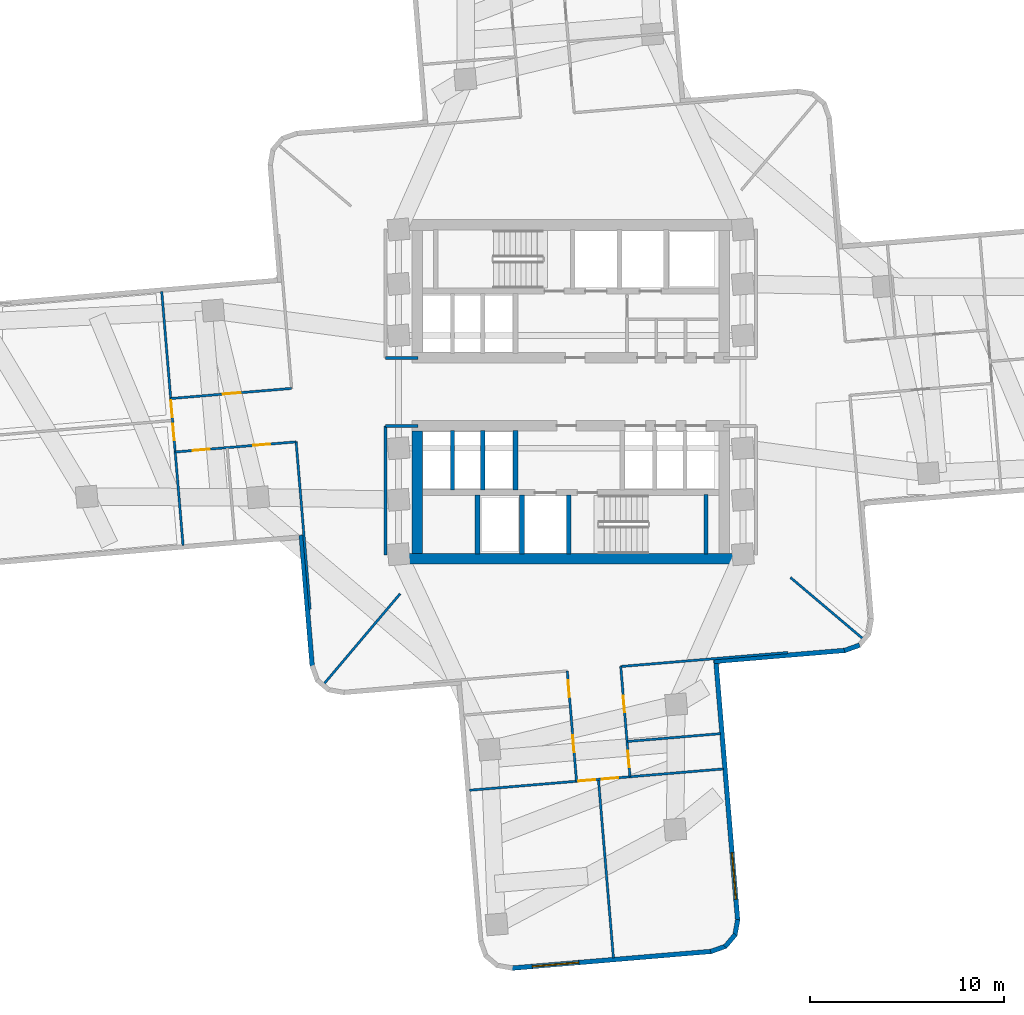
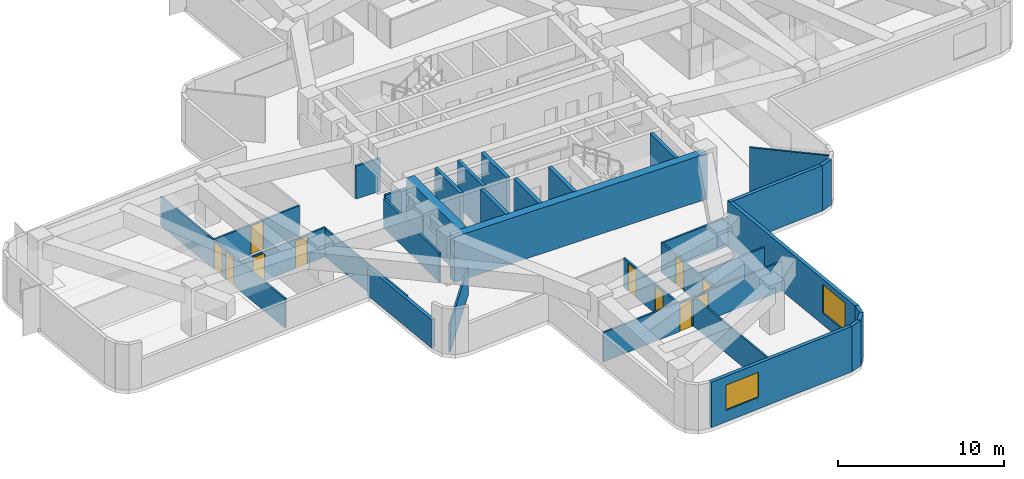
# One storey, part 3 of 11: 32 walls, 11 doors, 2 windows, 13 openings.
"""IFC4 building model written with IfcOpenShell, lengths in metres."""

from ifc_helpers import new_model, si_unit, direction, frame, frame_2d, origin, place, context, subcontext, project, spatial, rectangle, extrude, material, layer, layer_set, type_object, element, fill, save


model = new_model("IFC4")

# Units and contexts
model_context = context("Model", 3, precision=1e-05, world=origin(), true_north=direction((0.0, 1.0)))
body_context = subcontext(model_context, "Body", "Model", "MODEL_VIEW")
ifc_project = project(units=[si_unit("LENGTHUNIT", "METRE"), si_unit("AREAUNIT", "SQUARE_METRE"), si_unit("VOLUMEUNIT", "CUBIC_METRE"), si_unit("PLANEANGLEUNIT", "RADIAN"), si_unit("MASSUNIT", "GRAM", prefix="KILO")], contexts=[model_context])

# Site, building, storey
site_placement = place(None, origin())
site = spatial("IfcSite", under=ifc_project, at=site_placement, CompositionType="ELEMENT")
building_placement = place(site_placement, origin())
building = spatial("IfcBuilding", under=site, at=building_placement, Name="Solmarez Civic Tower", CompositionType="ELEMENT")
storey_placement = place(building_placement, frame((0.0, 0.0, 64.080078125)))
storey = spatial("IfcBuildingStorey", under=building, at=storey_placement, Name="L16", CompositionType="ELEMENT", Elevation=64.080078125)

# Walls
ifc_material_1 = material(Name="Concrete C60/75", Category="concrete")
ifc_layer_1 = layer(ifc_material_1, 0.550048828125)
ifc_layer_set_1 = layer_set([ifc_layer_1], Name="Concrete C60/75")
wall_type_1 = type_object("IfcWallType", Name="WALL-CORE-550", PredefinedType="SHEAR", material=ifc_layer_set_1)
wall_1_placement = place(storey_placement, frame((8.780029296875, -8.5849609375, 0.0), z_axis=(0.0, 0.0, 1.0), x_axis=(-1.0, 0.0, 0.0)))
element("IfcWall", 1, at=wall_1_placement, inside=storey, type_object=wall_type_1, Name="L16 Split-Core Structural Wall SCW-S-L16", PredefinedType="SHEAR", context=body_context, shape_type="SweptSolid", body=[
    extrude(rectangle(XDim=17.56005859375, YDim=0.550048828125, at=frame_2d((8.780029296875, 0.0))), origin(), (0.0, 0.0, 1.0), 3.33984375),
])
wall_2_placement = place(storey_placement, frame((-7.89501953125, -8.31005859375, 0.0), z_axis=(0.0, 0.0, 1.0), x_axis=(0.0, 1.0, 0.0)))
element("IfcWall", 2, at=wall_2_placement, inside=storey, type_object=wall_type_1, Name="L16 Split-Core Structural Wall SCW-W-L16", PredefinedType="SHEAR", context=body_context, shape_type="SweptSolid", body=[
    extrude(rectangle(XDim=6.28515625, YDim=0.550048828125, at=frame_2d((3.142578125, 0.0))), origin(), (0.0, 0.0, 1.0), 3.33984375),
])
ifc_material_2 = material(Name="Precast concrete C40/50", Category="concrete")
ifc_layer_2 = layer(ifc_material_2, 0.239990234375)
ifc_layer_set_2 = layer_set([ifc_layer_2], Name="Precast concrete C40/50")
wall_type_2 = type_object("IfcWallType", Name="WALL-EXT-240", PredefinedType="SOLIDWALL", material=ifc_layer_set_2)
wall_3_placement = place(storey_placement, frame((14.85400390625, -13.02490234375, 0.0), z_axis=(0.0, 0.0, 1.0), x_axis=(-0.941455621898, -0.337136933599, 0.0)))
element("IfcWall", 3, at=wall_3_placement, inside=storey, type_object=wall_type_2, Name="L16 Exterior Precast Wall 52", PredefinedType="SOLIDWALL", context=body_context, shape_type="SweptSolid", body=[
    extrude(rectangle(XDim=0.83056640625, YDim=0.239990234375, at=frame_2d((0.415283203125, 0.0))), origin(), (0.0, 0.0, 1.0), 3.33984375),
])
wall_4_placement = place(storey_placement, frame((14.12109375, -13.294921875, 0.0), z_axis=(0.0, 0.0, 1.0), x_axis=(-0.99648986367, -0.083713509088, 0.0)))
element("IfcWall", 4, at=wall_4_placement, inside=storey, type_object=wall_type_2, Name="L16 Exterior Precast Wall 53", PredefinedType="SOLIDWALL", context=body_context, shape_type="SweptSolid", body=[
    extrude(rectangle(XDim=6.774658203125, YDim=0.239990234375, at=frame_2d((3.38720703125, 0.0))), origin(), (0.0, 0.0, 1.0), 3.33984375),
])

# Wall, opening, window
wall_5_placement = place(storey_placement, frame((7.4580078125, -13.758056640625, 0.0), z_axis=(0.0, 0.0, 1.0), x_axis=(0.083631732273, -0.996496730229, 0.0)))
wall_5 = element("IfcWall", 5, at=wall_5_placement, inside=storey, type_object=wall_type_2, Name="L16 Exterior Precast Wall 56", PredefinedType="SOLIDWALL", context=body_context, shape_type="SweptSolid", body=[
    extrude(rectangle(XDim=13.47509765625, YDim=0.239990234375, at=frame_2d((6.737548828125, 0.0))), origin(), (0.0, 0.0, 1.0), 3.33984375),
])
opening_1_placement = place(wall_5_placement, frame((9.97509765625, 0.0, 0.85009765625)))
opening_1 = element("IfcOpeningElement", 6, at=opening_1_placement, cuts=wall_5, Name="Opening W-02", PredefinedType="OPENING", context=body_context, shape_type="SweptSolid", body=[
    extrude(rectangle(XDim=2.39990234375, YDim=2.10009765625, at=frame_2d((1.199951171875, 1.050048828125))), frame((0.0, 0.1298828125, 0.0), z_axis=(0.0, -1.0, 0.0), x_axis=(1.0, 0.0, 0.0)), (0.0, 0.0, 1.0), 0.260009765625),
])
ifc_material_3 = material(Name="Solar Control Bronze-Tinted Insulating Glass", Category="glass")
window_type_1 = type_object("IfcWindowType", Name="WIN-2400X2100", PartitioningType="SINGLE_PANEL", PredefinedType="WINDOW", material=ifc_material_3)
window_1_placement = place(opening_1_placement, origin())
window_1 = element("IfcWindow", 7, at=window_1_placement, inside=storey, type_object=window_type_1, Name="L16 Exterior Facade Window 56", OverallHeight=2.10009765625, OverallWidth=2.39990234375, PartitioningType="SINGLE_PANEL", PredefinedType="WINDOW", context=body_context, shape_type="SweptSolid", body=[
    extrude(rectangle(XDim=2.39990234375, YDim=2.10009765625, at=frame_2d((1.199951171875, 1.050048828125))), frame((0.0, 0.030029296875, 0.0), z_axis=(0.0, -1.0, 0.0), x_axis=(1.0, 0.0, 0.0)), (0.0, 0.0, 1.0), 0.06005859375),
])
fill(opening_1, window_1)

# Walls
wall_6_placement = place(storey_placement, frame((8.5869140625, -27.135986328125, 0.0), z_axis=(0.0, 0.0, 1.0), x_axis=(-0.175678791378, -0.98444754165, 0.0)))
element("IfcWall", 8, at=wall_6_placement, inside=storey, type_object=wall_type_2, Name="L16 Exterior Precast Wall 57", PredefinedType="SOLIDWALL", context=body_context, shape_type="SweptSolid", body=[
    extrude(rectangle(XDim=0.8310546875, YDim=0.239990234375, at=frame_2d((0.41552734375, 0.0))), origin(), (0.0, 0.0, 1.0), 3.33984375),
])
wall_7_placement = place(storey_placement, frame((8.4609375, -27.909912109375, 0.0), z_axis=(0.0, 0.0, 1.0), x_axis=(-0.644892840611, -0.764273003664, 0.0)))
element("IfcWall", 9, at=wall_7_placement, inside=storey, type_object=wall_type_2, Name="L16 Exterior Precast Wall 58", PredefinedType="SOLIDWALL", context=body_context, shape_type="SweptSolid", body=[
    extrude(rectangle(XDim=0.81396484375, YDim=0.239990234375, at=frame_2d((0.406982421875, 0.0))), origin(), (0.0, 0.0, 1.0), 3.33984375),
])
wall_8_placement = place(storey_placement, frame((7.97607421875, -28.5048828125, 0.0), z_axis=(0.0, 0.0, 1.0), x_axis=(-0.941455621898, -0.337136933599, 0.0)))
element("IfcWall", 10, at=wall_8_placement, inside=storey, type_object=wall_type_2, Name="L16 Exterior Precast Wall 59", PredefinedType="SOLIDWALL", context=body_context, shape_type="SweptSolid", body=[
    extrude(rectangle(XDim=0.83056640625, YDim=0.239990234375, at=frame_2d((0.415283203125, 0.0))), origin(), (0.0, 0.0, 1.0), 3.33984375),
])

# Wall, opening, window
wall_9_placement = place(storey_placement, frame((7.242919921875, -28.77490234375, 0.0), z_axis=(0.0, 0.0, 1.0), x_axis=(-0.996496471002, -0.083634820983, 0.0)))
wall_9 = element("IfcWall", 11, at=wall_9_placement, inside=storey, type_object=wall_type_2, Name="L16 Exterior Precast Wall 60", PredefinedType="SOLIDWALL", context=body_context, shape_type="SweptSolid", body=[
    extrude(rectangle(XDim=10.319091796875, YDim=0.239990234375, at=frame_2d((5.15966796875, 0.0))), origin(), (0.0, 0.0, 1.0), 3.33984375),
])
opening_2_placement = place(wall_9_placement, frame((6.84912109375, 0.0, 0.85009765625)))
opening_2 = element("IfcOpeningElement", 12, at=opening_2_placement, cuts=wall_9, Name="Opening W-06", PredefinedType="OPENING", context=body_context, shape_type="SweptSolid", body=[
    extrude(rectangle(XDim=2.39990234375, YDim=1.85009765625, at=frame_2d((1.199951171875, 0.925048828125))), frame((0.0, 0.1298828125, 0.0), z_axis=(0.0, -1.0, 0.0), x_axis=(1.0, 0.0, 0.0)), (0.0, 0.0, 1.0), 0.260009765625),
])
window_type_2 = type_object("IfcWindowType", Name="WIN-2400X1850", PartitioningType="SINGLE_PANEL", PredefinedType="WINDOW", material=ifc_material_3)
window_2_placement = place(opening_2_placement, origin())
window_2 = element("IfcWindow", 13, at=window_2_placement, inside=storey, type_object=window_type_2, Name="L16 Exterior Facade Window 60", OverallHeight=1.85009765625, OverallWidth=2.39990234375, PartitioningType="SINGLE_PANEL", PredefinedType="WINDOW", context=body_context, shape_type="SweptSolid", body=[
    extrude(rectangle(XDim=2.39990234375, YDim=1.85009765625, at=frame_2d((1.199951171875, 0.925048828125))), frame((0.0, 0.030029296875, 0.0), z_axis=(0.0, -1.0, 0.0), x_axis=(1.0, 0.0, 0.0)), (0.0, 0.0, 1.0), 0.06005859375),
])
fill(opening_2, window_2)

# Walls
wall_10_placement = place(storey_placement, frame((-13.294921875, -14.12109375, 0.0), z_axis=(0.0, 0.0, 1.0), x_axis=(-0.083713509088, 0.99648986367, 0.0)))
element("IfcWall", 14, at=wall_10_placement, inside=storey, type_object=wall_type_2, Name="L16 Exterior Precast Wall 71", PredefinedType="SOLIDWALL", context=body_context, shape_type="SweptSolid", body=[
    extrude(rectangle(XDim=6.774658203125, YDim=0.239990234375, at=frame_2d((3.38720703125, 0.0))), origin(), (0.0, 0.0, 1.0), 2.072021484375),
])
ifc_material_4 = material(Name="Gypsum Board Acoustic Steel-Stud Partition", Category="steel")
ifc_layer_3 = layer(ifc_material_4, 0.14990234375)
ifc_layer_set_3 = layer_set([ifc_layer_3], Name="Gypsum Board Acoustic Steel-Stud Partition")
wall_type_3 = type_object("IfcWallType", Name="WALL-INT-FIRE-150", PredefinedType="PARTITIONING", material=ifc_layer_set_3)
wall_11_placement = place(storey_placement, frame((-7.85009765625, 1.75, 0.0), z_axis=(0.0, 0.0, 1.0), x_axis=(-1.0, 0.0, 0.0)))
element("IfcWall", 15, at=wall_11_placement, inside=storey, type_object=wall_type_3, Name="L16 Interior Partition CHW-L16-WN3", PredefinedType="PARTITIONING", context=body_context, shape_type="SweptSolid", body=[
    extrude(rectangle(XDim=1.669921875, YDim=0.14990234375, at=frame_2d((0.8349609375, 0.0))), origin(), (0.0, 0.0, 1.0), 2.405029296875),
])
wall_12_placement = place(storey_placement, frame((-9.52001953125, -8.3798828125, 0.0), z_axis=(0.0, 0.0, 1.0), x_axis=(0.0, 1.0, 0.0)))
element("IfcWall", 16, at=wall_12_placement, inside=storey, type_object=wall_type_3, Name="L16 Interior Partition CHW-L16-WS1", PredefinedType="PARTITIONING", context=body_context, shape_type="SweptSolid", body=[
    extrude(rectangle(XDim=6.6298828125, YDim=0.14990234375, at=frame_2d((3.31494140625, 0.0))), origin(), (0.0, 0.0, 1.0), 2.15185546875),
])
wall_13_placement = place(storey_placement, frame((-7.85009765625, -1.75, 0.0), z_axis=(0.0, 0.0, 1.0), x_axis=(-1.0, 0.0, 0.0)))
element("IfcWall", 17, at=wall_13_placement, inside=storey, type_object=wall_type_3, Name="L16 Interior Partition CHW-L16-WS3", PredefinedType="PARTITIONING", context=body_context, shape_type="SweptSolid", body=[
    extrude(rectangle(XDim=1.669921875, YDim=0.14990234375, at=frame_2d((0.8349609375, 0.0))), origin(), (0.0, 0.0, 1.0), 2.405029296875),
])
ifc_layer_4 = layer(ifc_material_4, 0.1201171875)
ifc_layer_set_4 = layer_set([ifc_layer_4], Name="Gypsum Board Acoustic Steel-Stud Partition")
wall_type_4 = type_object("IfcWallType", Name="WALL-INT-PART-120", PredefinedType="PARTITIONING", material=ifc_layer_set_4)
wall_14_placement = place(storey_placement, frame((-8.77197265625, -10.3798828125, 0.0), z_axis=(0.0, 0.0, 1.0), x_axis=(-0.645424146464, -0.763824371935, 0.0)))
element("IfcWall", 18, at=wall_14_placement, inside=storey, type_object=wall_type_4, Name="L16 Interior Partition PT-L16-QDIV-3", PredefinedType="PARTITIONING", context=body_context, shape_type="SweptSolid", body=[
    extrude(rectangle(XDim=6.064208984375, YDim=0.1201171875, at=frame_2d((3.0322265625, 0.0))), origin(), (0.0, 0.0, 1.0), 2.072021484375),
])
wall_15_placement = place(storey_placement, frame((11.300048828125, -9.549072265625, 0.0), z_axis=(0.0, 0.0, 1.0), x_axis=(0.763780578352, -0.645475970221, 0.0)))
element("IfcWall", 19, at=wall_15_placement, inside=storey, type_object=wall_type_4, Name="L16 Interior Partition PT-L16-QDIV-4", PredefinedType="PARTITIONING", context=body_context, shape_type="SweptSolid", body=[
    extrude(rectangle(XDim=4.85986328125, YDim=0.1201171875, at=frame_2d((2.429931640625, 0.0))), origin(), (0.0, 0.0, 1.0), 3.33984375),
])
wall_16_placement = place(storey_placement, frame((-14.125, -2.56103515625, 0.0), z_axis=(0.0, 0.0, 1.0), x_axis=(0.083580419953, -0.996501035323, 0.0)))
element("IfcWall", 20, at=wall_16_placement, inside=storey, type_object=wall_type_4, Name="L16 Interior Partition PT-L16-W-EFL", PredefinedType="PARTITIONING", context=body_context, shape_type="SweptSolid", body=[
    extrude(rectangle(XDim=8.649169921875, YDim=0.1201171875, at=frame_2d((4.32470703125, 0.0))), origin(), (0.0, 0.0, 1.0), 2.072021484375),
])

# Wall, openings, doors
wall_17_placement = place(storey_placement, frame((-20.343017578125, -3.093017578125, 0.0), z_axis=(0.0, 0.0, 1.0), x_axis=(0.996496210368, 0.083637926344, 0.0)))
wall_17 = element("IfcWall", 21, at=wall_17_placement, inside=storey, type_object=wall_type_4, Name="L16 Interior Partition PT-L16-W-SL", PredefinedType="PARTITIONING", context=body_context, shape_type="SweptSolid", body=[
    extrude(rectangle(XDim=6.240966796875, YDim=0.1201171875, at=frame_2d((3.12060546875, 0.0))), origin(), (0.0, 0.0, 1.0), 2.15185546875),
])
opening_3_placement = place(wall_17_placement, frame((4.031005859375, 0.0, 0.0)))
opening_3 = element("IfcOpeningElement", 22, at=opening_3_placement, cuts=wall_17, Name="Opening D-14", PredefinedType="OPENING", context=body_context, shape_type="SweptSolid", body=[
    extrude(rectangle(XDim=0.860107421875, YDim=2.0400390625, at=frame_2d((0.43017578125, 1.02001953125))), frame((0.0, 0.070068359375, 0.0), z_axis=(0.0, -1.0, 0.0), x_axis=(1.0, 0.0, 0.0)), (0.0, 0.0, 1.0), 0.14013671875),
])
opening_4_placement = place(wall_17_placement, frame((0.910888671875, 0.0, 0.0)))
opening_4 = element("IfcOpeningElement", 23, at=opening_4_placement, cuts=wall_17, Name="Opening D-14", PredefinedType="OPENING", context=body_context, shape_type="SweptSolid", body=[
    extrude(rectangle(XDim=0.860107421875, YDim=2.0400390625, at=frame_2d((0.43017578125, 1.02001953125))), frame((0.0, 0.070068359375, 0.0), z_axis=(0.0, -1.0, 0.0), x_axis=(1.0, 0.0, 0.0)), (0.0, 0.0, 1.0), 0.14013671875),
])
ifc_material_5 = material(Name="Timber Storage and Pantry Door", Category="wood")
door_type_1 = type_object("IfcDoorType", Name="DOOR-INT-850", OperationType="NOTDEFINED", PredefinedType="DOOR", material=ifc_material_5)
door_1_placement = place(opening_3_placement, origin())
door_1 = element("IfcDoor", 24, at=door_1_placement, inside=storey, type_object=door_type_1, Name="L16 Security Control Room First West Door", OperationType="SINGLE_SWING_LEFT", OverallHeight=2.0400390625, OverallWidth=0.860107421875, PredefinedType="DOOR", context=body_context, shape_type="SweptSolid", body=[
    extrude(rectangle(XDim=0.860107421875, YDim=2.0400390625, at=frame_2d((0.43017578125, 1.02001953125))), frame((0.0, 0.02490234375, 0.0), z_axis=(0.0, -1.0, 0.0), x_axis=(1.0, 0.0, 0.0)), (0.0, 0.0, 1.0), 0.050048828125),
])
fill(opening_3, door_1)
door_2_placement = place(opening_4_placement, origin())
door_2 = element("IfcDoor", 25, at=door_2_placement, inside=storey, type_object=door_type_1, Name="L16 Ministry Conference Room Second West Door", OperationType="SINGLE_SWING_RIGHT", OverallHeight=2.0400390625, OverallWidth=0.860107421875, PredefinedType="DOOR", context=body_context, shape_type="SweptSolid", body=[
    extrude(rectangle(XDim=0.860107421875, YDim=2.0400390625, at=frame_2d((0.43017578125, 1.02001953125))), frame((0.0, 0.02490234375, 0.0), z_axis=(0.0, -1.0, 0.0), x_axis=(1.0, 0.0, 0.0)), (0.0, 0.0, 1.0), 0.050048828125),
])
fill(opening_4, door_2)

# Wall, opening, door
wall_18_placement = place(storey_placement, frame((-14.35498046875, 0.178955078125, 0.0), z_axis=(0.0, 0.0, 1.0), x_axis=(-0.996495115495, -0.083650970078, 0.0)))
wall_18 = element("IfcWall", 26, at=wall_18_placement, inside=storey, type_object=wall_type_4, Name="L16 Interior Partition PT-L16-W-SR", PredefinedType="PARTITIONING", context=body_context, shape_type="SweptSolid", body=[
    extrude(rectangle(XDim=6.239990234375, YDim=0.1201171875, at=frame_2d((3.1201171875, 0.0))), origin(), (0.0, 0.0, 1.0), 2.15185546875),
])
opening_5_placement = place(wall_18_placement, frame((2.639892578125, 0.0, 0.0)))
opening_5 = element("IfcOpeningElement", 27, at=opening_5_placement, cuts=wall_18, Name="Opening D-08", PredefinedType="OPENING", context=body_context, shape_type="SweptSolid", body=[
    extrude(rectangle(XDim=0.89990234375, YDim=2.06005859375, at=frame_2d((0.449951171875, 1.030029296875))), frame((0.0, 0.070068359375, 0.0), z_axis=(0.0, -1.0, 0.0), x_axis=(1.0, 0.0, 0.0)), (0.0, 0.0, 1.0), 0.14013671875),
])
ifc_material_6 = material(Name="Solid-Core Timber Office Door", Category="wood")
door_type_2 = type_object("IfcDoorType", Name="DOOR-INT-900", OperationType="NOTDEFINED", PredefinedType="DOOR", material=ifc_material_6)
door_3_placement = place(opening_5_placement, origin())
door_3 = element("IfcDoor", 28, at=door_3_placement, inside=storey, type_object=door_type_2, Name="L16 Public Reception Room Third West Door", OperationType="SINGLE_SWING_RIGHT", OverallHeight=2.06005859375, OverallWidth=0.89990234375, PredefinedType="DOOR", context=body_context, shape_type="SweptSolid", body=[
    extrude(rectangle(XDim=0.89990234375, YDim=2.06005859375, at=frame_2d((0.449951171875, 1.030029296875))), frame((0.0, 0.02490234375, 0.0), z_axis=(0.0, -1.0, 0.0), x_axis=(1.0, 0.0, 0.0)), (0.0, 0.0, 1.0), 0.050048828125),
])
fill(opening_5, door_3)

# Wall, openings, doors
wall_19_placement = place(storey_placement, frame((-19.93896484375, -7.89111328125, 0.0), z_axis=(0.0, 0.0, 1.0), x_axis=(-0.083723060433, 0.99648906123, 0.0)))
wall_19 = element("IfcWall", 29, at=wall_19_placement, inside=storey, type_object=wall_type_4, Name="L16 Interior Partition PT-L16-W-END", PredefinedType="PARTITIONING", context=body_context, shape_type="SweptSolid", body=[
    extrude(rectangle(XDim=13.090087890625, YDim=0.1201171875, at=frame_2d((6.544921875, 0.0))), origin(), (0.0, 0.0, 1.0), 2.15185546875),
])
opening_6_placement = place(wall_19_placement, frame((6.614990234375, 0.0, 0.0)))
opening_6 = element("IfcOpeningElement", 30, at=opening_6_placement, cuts=wall_19, Name="Opening D-14", PredefinedType="OPENING", context=body_context, shape_type="SweptSolid", body=[
    extrude(rectangle(XDim=0.860107421875, YDim=2.0400390625, at=frame_2d((0.43017578125, 1.02001953125))), frame((0.0, 0.070068359375, 0.0), z_axis=(0.0, -1.0, 0.0), x_axis=(1.0, 0.0, 0.0)), (0.0, 0.0, 1.0), 0.14013671875),
])
opening_7_placement = place(wall_19_placement, frame((5.4150390625, 0.0, 0.0)))
opening_7 = element("IfcOpeningElement", 31, at=opening_7_placement, cuts=wall_19, Name="Opening D-14", PredefinedType="OPENING", context=body_context, shape_type="SweptSolid", body=[
    extrude(rectangle(XDim=0.860107421875, YDim=2.0400390625, at=frame_2d((0.43017578125, 1.02001953125))), frame((0.0, 0.070068359375, 0.0), z_axis=(0.0, -1.0, 0.0), x_axis=(1.0, 0.0, 0.0)), (0.0, 0.0, 1.0), 0.14013671875),
])
door_4_placement = place(opening_6_placement, origin())
door_4 = element("IfcDoor", 32, at=door_4_placement, inside=storey, type_object=door_type_1, Name="L16 Delegation Concierge Room Sixth West Door", OperationType="SINGLE_SWING_RIGHT", OverallHeight=2.0400390625, OverallWidth=0.860107421875, PredefinedType="DOOR", context=body_context, shape_type="SweptSolid", body=[
    extrude(rectangle(XDim=0.860107421875, YDim=2.0400390625, at=frame_2d((0.43017578125, 1.02001953125))), frame((0.0, 0.02490234375, 0.0), z_axis=(0.0, -1.0, 0.0), x_axis=(1.0, 0.0, 0.0)), (0.0, 0.0, 1.0), 0.050048828125),
])
fill(opening_6, door_4)
door_5_placement = place(opening_7_placement, origin())
door_5 = element("IfcDoor", 33, at=door_5_placement, inside=storey, type_object=door_type_1, Name="L16 Public Reception Room Fifth West Door", OperationType="SINGLE_SWING_LEFT", OverallHeight=2.0400390625, OverallWidth=0.860107421875, PredefinedType="DOOR", context=body_context, shape_type="SweptSolid", body=[
    extrude(rectangle(XDim=0.860107421875, YDim=2.0400390625, at=frame_2d((0.43017578125, 1.02001953125))), frame((0.0, 0.02490234375, 0.0), z_axis=(0.0, -1.0, 0.0), x_axis=(1.0, 0.0, 0.0)), (0.0, 0.0, 1.0), 0.050048828125),
])
fill(opening_7, door_5)

# Walls
wall_20_placement = place(storey_placement, frame((2.56103515625, -14.125, 0.0), z_axis=(0.0, 0.0, 1.0), x_axis=(0.996501035323, 0.083580419953, 0.0)))
element("IfcWall", 34, at=wall_20_placement, inside=storey, type_object=wall_type_4, Name="L16 Interior Partition PT-L16-S-EFL", PredefinedType="PARTITIONING", context=body_context, shape_type="SweptSolid", body=[
    extrude(rectangle(XDim=8.649169921875, YDim=0.1201171875, at=frame_2d((4.32470703125, 0.0))), origin(), (0.0, 0.0, 1.0), 2.15185546875),
])
wall_21_placement = place(storey_placement, frame((2.9150390625, -17.97900390625, 0.0), z_axis=(0.0, 0.0, 1.0), x_axis=(0.996494654035, 0.083656467047, 0.0)))
element("IfcWall", 35, at=wall_21_placement, inside=storey, type_object=wall_type_4, Name="L16 Interior Partition PT-L16-S-LM", PredefinedType="PARTITIONING", context=body_context, shape_type="SweptSolid", body=[
    extrude(rectangle(XDim=4.794921875, YDim=0.1201171875, at=frame_2d((2.3974609375, 0.0))), origin(), (0.0, 0.0, 1.0), 2.15185546875),
])

# Wall, openings, doors
wall_22_placement = place(storey_placement, frame((3.047119140625, -19.7939453125, 0.0), z_axis=(0.0, 0.0, 1.0), x_axis=(-0.083670439538, 0.996493480936, 0.0)))
wall_22 = element("IfcWall", 36, at=wall_22_placement, inside=storey, type_object=wall_type_4, Name="L16 Interior Partition PT-L16-S-SL", PredefinedType="PARTITIONING", context=body_context, shape_type="SweptSolid", body=[
    extrude(rectangle(XDim=5.68994140625, YDim=0.1201171875, at=frame_2d((2.844970703125, 0.0))), origin(), (0.0, 0.0, 1.0), 2.15185546875),
])
opening_8_placement = place(wall_22_placement, frame((3.324951171875, 0.0, 0.0)))
opening_8 = element("IfcOpeningElement", 37, at=opening_8_placement, cuts=wall_22, Name="Opening D-14", PredefinedType="OPENING", context=body_context, shape_type="SweptSolid", body=[
    extrude(rectangle(XDim=0.860107421875, YDim=2.0400390625, at=frame_2d((0.43017578125, 1.02001953125))), frame((0.0, 0.070068359375, 0.0), z_axis=(0.0, -1.0, 0.0), x_axis=(1.0, 0.0, 0.0)), (0.0, 0.0, 1.0), 0.14013671875),
])
opening_9_placement = place(wall_22_placement, frame((0.47998046875, 0.0, 0.0)))
opening_9 = element("IfcOpeningElement", 38, at=opening_9_placement, cuts=wall_22, Name="Opening D-14", PredefinedType="OPENING", context=body_context, shape_type="SweptSolid", body=[
    extrude(rectangle(XDim=0.860107421875, YDim=2.0400390625, at=frame_2d((0.43017578125, 1.02001953125))), frame((0.0, 0.070068359375, 0.0), z_axis=(0.0, -1.0, 0.0), x_axis=(1.0, 0.0, 0.0)), (0.0, 0.0, 1.0), 0.14013671875),
])
door_6_placement = place(opening_8_placement, origin())
door_6 = element("IfcDoor", 39, at=door_6_placement, inside=storey, type_object=door_type_1, Name="L16 Ministry Conference Room First South Door", OperationType="SINGLE_SWING_LEFT", OverallHeight=2.0400390625, OverallWidth=0.860107421875, PredefinedType="DOOR", context=body_context, shape_type="SweptSolid", body=[
    extrude(rectangle(XDim=0.860107421875, YDim=2.0400390625, at=frame_2d((0.43017578125, 1.02001953125))), frame((0.0, 0.02490234375, 0.0), z_axis=(0.0, -1.0, 0.0), x_axis=(1.0, 0.0, 0.0)), (0.0, 0.0, 1.0), 0.050048828125),
])
fill(opening_8, door_6)
door_7_placement = place(opening_9_placement, origin())
door_7 = element("IfcDoor", 40, at=door_7_placement, inside=storey, type_object=door_type_1, Name="L16 Public Reception Room Second South Door", OperationType="SINGLE_SWING_RIGHT", OverallHeight=2.0400390625, OverallWidth=0.860107421875, PredefinedType="DOOR", context=body_context, shape_type="SweptSolid", body=[
    extrude(rectangle(XDim=0.860107421875, YDim=2.0400390625, at=frame_2d((0.43017578125, 1.02001953125))), frame((0.0, 0.02490234375, 0.0), z_axis=(0.0, -1.0, 0.0), x_axis=(1.0, 0.0, 0.0)), (0.0, 0.0, 1.0), 0.050048828125),
])
fill(opening_9, door_7)

wall_23_placement = place(storey_placement, frame((-0.178955078125, -14.35498046875, 0.0), z_axis=(0.0, 0.0, 1.0), x_axis=(0.083670439538, -0.996493480936, 0.0)))
wall_23 = element("IfcWall", 41, at=wall_23_placement, inside=storey, type_object=wall_type_4, Name="L16 Interior Partition PT-L16-S-SR", PredefinedType="PARTITIONING", context=body_context, shape_type="SweptSolid", body=[
    extrude(rectangle(XDim=5.68994140625, YDim=0.1201171875, at=frame_2d((2.844970703125, 0.0))), origin(), (0.0, 0.0, 1.0), 2.15185546875),
])
opening_10_placement = place(wall_23_placement, frame((0.47998046875, 0.0, 0.0)))
opening_10 = element("IfcOpeningElement", 42, at=opening_10_placement, cuts=wall_23, Name="Opening D-14", PredefinedType="OPENING", context=body_context, shape_type="SweptSolid", body=[
    extrude(rectangle(XDim=0.860107421875, YDim=2.0400390625, at=frame_2d((0.43017578125, 1.02001953125))), frame((0.0, 0.070068359375, 0.0), z_axis=(0.0, -1.0, 0.0), x_axis=(1.0, 0.0, 0.0)), (0.0, 0.0, 1.0), 0.14013671875),
])
opening_11_placement = place(wall_23_placement, frame((3.324951171875, 0.0, 0.0)))
opening_11 = element("IfcOpeningElement", 43, at=opening_11_placement, cuts=wall_23, Name="Opening D-14", PredefinedType="OPENING", context=body_context, shape_type="SweptSolid", body=[
    extrude(rectangle(XDim=0.860107421875, YDim=2.0400390625, at=frame_2d((0.43017578125, 1.02001953125))), frame((0.0, 0.070068359375, 0.0), z_axis=(0.0, -1.0, 0.0), x_axis=(1.0, 0.0, 0.0)), (0.0, 0.0, 1.0), 0.14013671875),
])
door_8_placement = place(opening_10_placement, origin())
door_8 = element("IfcDoor", 44, at=door_8_placement, inside=storey, type_object=door_type_1, Name="L16 Delegation Concierge Room Third South Door", OperationType="SINGLE_SWING_RIGHT", OverallHeight=2.0400390625, OverallWidth=0.860107421875, PredefinedType="DOOR", context=body_context, shape_type="SweptSolid", body=[
    extrude(rectangle(XDim=0.860107421875, YDim=2.0400390625, at=frame_2d((0.43017578125, 1.02001953125))), frame((0.0, 0.02490234375, 0.0), z_axis=(0.0, -1.0, 0.0), x_axis=(1.0, 0.0, 0.0)), (0.0, 0.0, 1.0), 0.050048828125),
])
fill(opening_10, door_8)
door_9_placement = place(opening_11_placement, origin())
door_9 = element("IfcDoor", 45, at=door_9_placement, inside=storey, type_object=door_type_1, Name="L16 Security Control Room Fourth South Door", OperationType="SINGLE_SWING_LEFT", OverallHeight=2.0400390625, OverallWidth=0.860107421875, PredefinedType="DOOR", context=body_context, shape_type="SweptSolid", body=[
    extrude(rectangle(XDim=0.860107421875, YDim=2.0400390625, at=frame_2d((0.43017578125, 1.02001953125))), frame((0.0, 0.02490234375, 0.0), z_axis=(0.0, -1.0, 0.0), x_axis=(1.0, 0.0, 0.0)), (0.0, 0.0, 1.0), 0.050048828125),
])
fill(opening_11, door_9)

# Wall
wall_24_placement = place(storey_placement, frame((1.427978515625, -19.990966796875, 0.0), z_axis=(0.0, 0.0, 1.0), x_axis=(0.0836810572, -0.996492589368, 0.0)))
element("IfcWall", 46, at=wall_24_placement, inside=storey, type_object=wall_type_4, Name="L16 Interior Partition PT-L16-S-TM", PredefinedType="PARTITIONING", context=body_context, shape_type="SweptSolid", body=[
    extrude(rectangle(XDim=9.1552734375, YDim=0.1201171875, at=frame_2d((4.57763671875, 0.0))), origin(), (0.0, 0.0, 1.0), 2.15185546875),
])

# Wall, openings, doors
wall_25_placement = place(storey_placement, frame((7.844970703125, -19.39111328125, 0.0), z_axis=(0.0, 0.0, 1.0), x_axis=(-0.996488930494, -0.083724616474, 0.0)))
wall_25 = element("IfcWall", 47, at=wall_25_placement, inside=storey, type_object=wall_type_4, Name="L16 Interior Partition PT-L16-S-END", PredefinedType="PARTITIONING", context=body_context, shape_type="SweptSolid", body=[
    extrude(rectangle(XDim=13.08984375, YDim=0.1201171875, at=frame_2d((6.544921875, 0.0))), origin(), (0.0, 0.0, 1.0), 2.15185546875),
])
opening_12_placement = place(wall_25_placement, frame((6.614990234375, 0.0, 0.0)))
opening_12 = element("IfcOpeningElement", 48, at=opening_12_placement, cuts=wall_25, Name="Opening D-14", PredefinedType="OPENING", context=body_context, shape_type="SweptSolid", body=[
    extrude(rectangle(XDim=0.860107421875, YDim=2.0400390625, at=frame_2d((0.43017578125, 1.02001953125))), frame((0.0, 0.070068359375, 0.0), z_axis=(0.0, -1.0, 0.0), x_axis=(1.0, 0.0, 0.0)), (0.0, 0.0, 1.0), 0.14013671875),
])
opening_13_placement = place(wall_25_placement, frame((5.4150390625, 0.0, 0.0)))
opening_13 = element("IfcOpeningElement", 49, at=opening_13_placement, cuts=wall_25, Name="Opening D-14", PredefinedType="OPENING", context=body_context, shape_type="SweptSolid", body=[
    extrude(rectangle(XDim=0.860107421875, YDim=2.0400390625, at=frame_2d((0.43017578125, 1.02001953125))), frame((0.0, 0.070068359375, 0.0), z_axis=(0.0, -1.0, 0.0), x_axis=(1.0, 0.0, 0.0)), (0.0, 0.0, 1.0), 0.14013671875),
])
door_10_placement = place(opening_12_placement, origin())
door_10 = element("IfcDoor", 50, at=door_10_placement, inside=storey, type_object=door_type_1, Name="L16 Security Control Room Sixth South Door", OperationType="SINGLE_SWING_RIGHT", OverallHeight=2.0400390625, OverallWidth=0.860107421875, PredefinedType="DOOR", context=body_context, shape_type="SweptSolid", body=[
    extrude(rectangle(XDim=0.860107421875, YDim=2.0400390625, at=frame_2d((0.43017578125, 1.02001953125))), frame((0.0, 0.02490234375, 0.0), z_axis=(0.0, -1.0, 0.0), x_axis=(1.0, 0.0, 0.0)), (0.0, 0.0, 1.0), 0.050048828125),
])
fill(opening_12, door_10)
door_11_placement = place(opening_13_placement, origin())
door_11 = element("IfcDoor", 51, at=door_11_placement, inside=storey, type_object=door_type_1, Name="L16 Delegation Concierge Room Fifth South Door", OperationType="SINGLE_SWING_LEFT", OverallHeight=2.0400390625, OverallWidth=0.860107421875, PredefinedType="DOOR", context=body_context, shape_type="SweptSolid", body=[
    extrude(rectangle(XDim=0.860107421875, YDim=2.0400390625, at=frame_2d((0.43017578125, 1.02001953125))), frame((0.0, 0.02490234375, 0.0), z_axis=(0.0, -1.0, 0.0), x_axis=(1.0, 0.0, 0.0)), (0.0, 0.0, 1.0), 0.050048828125),
])
fill(opening_13, door_11)

# Walls
ifc_material_7 = material(Name="Concrete C50/60", Category="concrete")
ifc_layer_5 = layer(ifc_material_7, 0.300048828125)
ifc_layer_set_5 = layer_set([ifc_layer_5], Name="Concrete C50/60")
wall_type_5 = type_object("IfcWallType", Name="WALL-STR-300", PredefinedType="SOLIDWALL", material=ifc_layer_set_5)
wall_26_placement = place(storey_placement, frame((6.949951171875, -8.340087890625, 0.0), z_axis=(0.0, 0.0, 1.0), x_axis=(0.0, 1.0, 0.0)))
element("IfcWall", 52, at=wall_26_placement, inside=storey, type_object=wall_type_5, Name="L16 Split-Core Structural Wall SHW-SE-L16", PredefinedType="SOLIDWALL", context=body_context, shape_type="SweptSolid", body=[
    extrude(rectangle(XDim=3.06005859375, YDim=0.219970703125, at=frame_2d((1.530029296875, 0.0))), origin(), (0.0, 0.0, 1.0), 3.33984375),
])
for number, where, z_axis, x_axis, name in (
    (53, (-0.10009765625, -8.340087890625, 0.0), (0.0, 0.0, 1.0), (0.0, 1.0, 0.0), "L16 Split-Core Structural Wall SHW-S1-L16"),
    (54, (-2.5, -8.340087890625, 0.0), (0.0, 0.0, 1.0), (0.0, 1.0, 0.0), "L16 Split-Core Structural Wall SHW-S2-L16"),
    (55, (-4.800048828125, -8.340087890625, 0.0), (0.0, 0.0, 1.0), (0.0, 1.0, 0.0), "L16 Split-Core Structural Wall SHW-S3-L16"),
):
    element("IfcWall", number, at=place(storey_placement, frame(where, z_axis=z_axis, x_axis=x_axis)), inside=storey, type_object=wall_type_5, Name=name, PredefinedType="SOLIDWALL", context=body_context, shape_type="SweptSolid", body=[
        extrude(rectangle(XDim=3.0400390625, YDim=0.25, at=frame_2d((1.52001953125, 0.0))), origin(), (0.0, 0.0, 1.0), 3.33984375),
    ])
wall_27_placement = place(storey_placement, frame((-2.85009765625, -5.050048828125, 0.0), z_axis=(0.0, 0.0, 1.0), x_axis=(0.0, 1.0, 0.0)))
element("IfcWall", 56, at=wall_27_placement, inside=storey, type_object=wall_type_5, Name="L16 Split-Core Structural Wall SHW-SL1-L16", PredefinedType="SOLIDWALL", context=body_context, shape_type="SweptSolid", body=[
    extrude(rectangle(XDim=3.070068359375, YDim=0.25, at=frame_2d((1.53515625, 0.0))), origin(), (0.0, 0.0, 1.0), 3.33984375),
])
for number, where, z_axis, x_axis, name in (
    (57, (-6.080078125, -5.050048828125, 0.0), (0.0, 0.0, 1.0), (0.0, 1.0, 0.0), "L16 Split-Core Structural Wall SHW-PLM-L16-1"),
    (58, (-4.52001953125, -5.050048828125, 0.0), (0.0, 0.0, 1.0), (0.0, 1.0, 0.0), "L16 Split-Core Structural Wall SHW-PLM-L16-2"),
):
    element("IfcWall", number, at=place(storey_placement, frame(where, z_axis=z_axis, x_axis=x_axis)), inside=storey, type_object=wall_type_5, Name=name, PredefinedType="SOLIDWALL", context=body_context, shape_type="SweptSolid", body=[
        extrude(rectangle(XDim=3.070068359375, YDim=0.219970703125, at=frame_2d((1.53515625, 0.0))), origin(), (0.0, 0.0, 1.0), 3.33984375),
    ])

save(model, "model.ifc")
